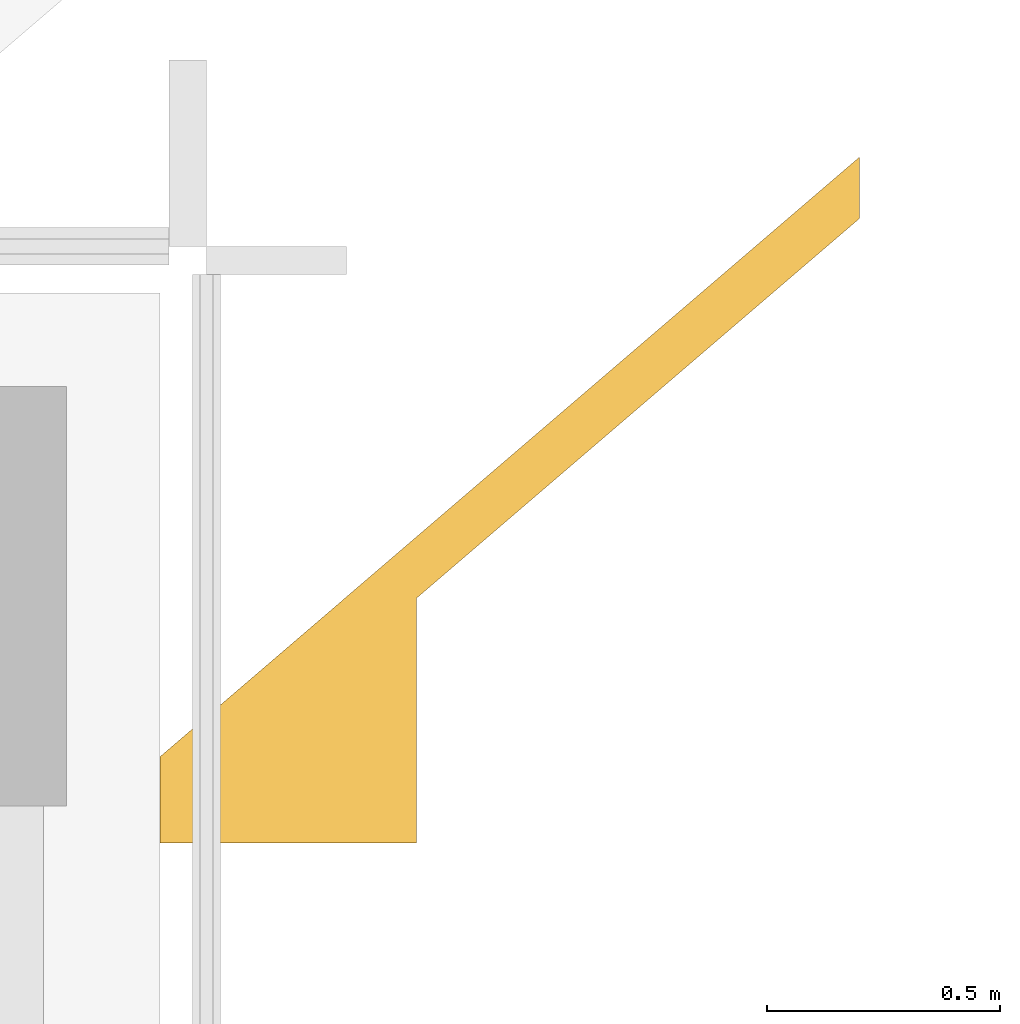
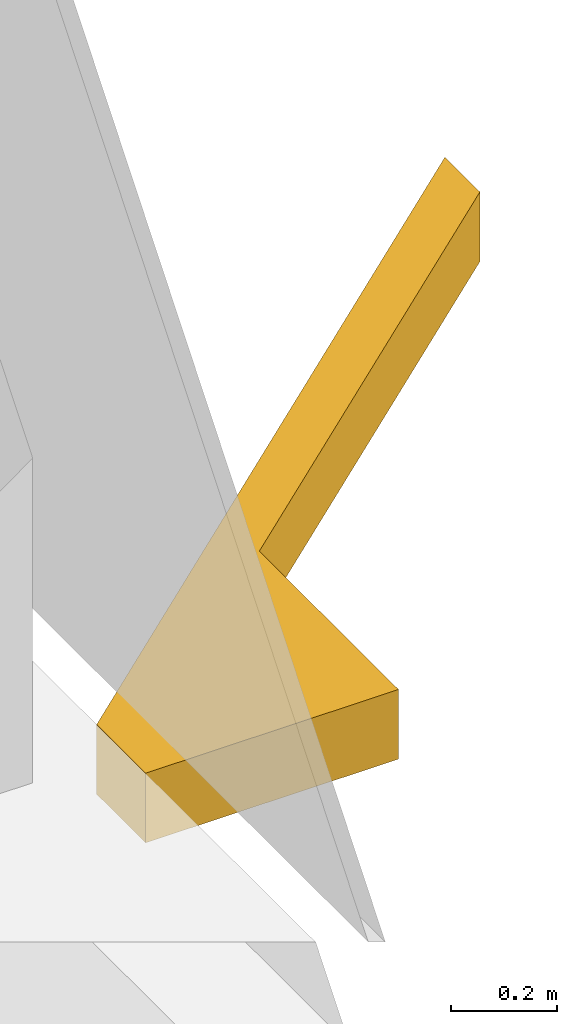
# One storey, part 17 of 17: 1 covering.
"""IFC4 building model written with IfcOpenShell, lengths in metres."""

import ifcopenshell
import ifcopenshell.guid

model = None  # the IFC model being written
_history = None  # IfcOwnerHistory: only IFC2X3 demands one
_inside = {}  # id of a spatial element -> (the spatial element, [elements in it])
_under = {}  # id of a project, library or spatial element -> (it, [spatial elements below it])
_declared = {}  # id of a project -> (the project, [libraries it declares])
_typed = {}  # id of a type object -> (the type object, [elements of that type])
_made_of = {}  # id of a material, layer set ... -> (it, [elements and type objects made of it])


def new_model(schema):
    """Start an empty IFC model of exactly this schema.

    Asked for "IFC4X3", IfcOpenShell would pick the latest addendum, in which some entities
    have other attributes; the version numbers below select the first issue.
    IFC2X3 requires an IfcOwnerHistory on every rooted entity: one is made here for all.
    """
    global model, _history
    if schema == "IFC4X3":
        model = ifcopenshell.file(schema_version=(4, 3, 0, 0))
    else:
        model = ifcopenshell.file(schema=schema)
    _inside.clear()
    _under.clear()
    _declared.clear()
    _typed.clear()
    _made_of.clear()
    _history = None
    if model.schema == "IFC2X3":
        org = make("IfcOrganization", Name="unknown")
        user = make(
            "IfcPersonAndOrganization",
            ThePerson=make("IfcPerson", FamilyName="unknown"),
            TheOrganization=org,
        )
        app = make(
            "IfcApplication",
            ApplicationDeveloper=org,
            Version="unknown",
            ApplicationFullName="unknown",
            ApplicationIdentifier="unknown",
        )
        _history = make(
            "IfcOwnerHistory",
            OwningUser=user,
            OwningApplication=app,
            ChangeAction="ADDED",
            CreationDate=0,
        )
    return model


def make(cls, **values):
    """One entity of the class cls with the attributes given. An attribute that is None is left unset."""
    return model.create_entity(
        cls, **{name: value for name, value in values.items() if value is not None}
    )


def rooted(cls, **values):
    """An entity with a GlobalId (a new one), such as an element, a storey or a relation."""
    return make(cls, GlobalId=ifcopenshell.guid.new(), OwnerHistory=_history, **values)


def si_unit(unit_type, name, prefix=None):
    """IfcSIUnit, for example si_unit("LENGTHUNIT", "METRE", prefix="MILLI")."""
    return make("IfcSIUnit", UnitType=unit_type, Prefix=prefix, Name=name)


def assignment(units):
    """IfcUnitAssignment: the units of a project."""
    return None if units is None else make("IfcUnitAssignment", Units=units)


def point(xyz):
    """IfcCartesianPoint."""
    return None if xyz is None else make("IfcCartesianPoint", Coordinates=xyz)


def direction(xyz):
    """IfcDirection."""
    return None if xyz is None else make("IfcDirection", DirectionRatios=xyz)


def frame(location, z_axis=None, x_axis=None):
    """IfcAxis2Placement3D, a coordinate frame: its origin and axes. An axis left out is left unset."""
    return make(
        "IfcAxis2Placement3D",
        Location=point(location),
        Axis=direction(z_axis),
        RefDirection=direction(x_axis),
    )


def origin():
    """The frame at (0, 0, 0) with its axes left unset."""
    return frame((0.0, 0.0, 0.0))


def place(relative_to, where):
    """IfcLocalPlacement: puts the frame where relative to a parent placement (None: the world)."""
    return make(
        "IfcLocalPlacement", PlacementRelTo=relative_to, RelativePlacement=where
    )


def context(
    kind, dimensions, precision=None, world=None, true_north=None, identifier=None
):
    """IfcGeometricRepresentationContext, for example the 3D "Model" context."""
    return make(
        "IfcGeometricRepresentationContext",
        ContextIdentifier=identifier,
        ContextType=kind,
        CoordinateSpaceDimension=dimensions,
        Precision=precision,
        WorldCoordinateSystem=world,
        TrueNorth=true_north,
    )


def subcontext(parent, identifier, kind, view, scale=None):
    """IfcGeometricRepresentationSubContext, for example "Body" below "Model"."""
    return make(
        "IfcGeometricRepresentationSubContext",
        ContextIdentifier=identifier,
        ContextType=kind,
        ParentContext=parent,
        TargetScale=scale,
        TargetView=view,
    )


def project(units=None, contexts=None):
    """IfcProject with its units and contexts."""
    return rooted(
        "IfcProject",
        Name="project",
        RepresentationContexts=contexts,
        UnitsInContext=assignment(units),
    )


def spatial(cls, under=None, at=None, **own):
    """A site, building, storey or space (cls), placed at a placement, below another one or the project."""
    s = rooted(cls, ObjectPlacement=at, **own)
    if under is not None:
        _under.setdefault(under.id(), (under, []))[1].append(s)
    return s


def polyline(points):
    """IfcPolyline through the points."""
    return make("IfcPolyline", Points=[point(p) for p in points])


def outline(outer, holes=None, kind="AREA"):
    """IfcArbitraryClosedProfileDef: a profile drawn as a closed curve; with holes, ...WithVoids."""
    if holes is None:
        return make("IfcArbitraryClosedProfileDef", ProfileType=kind, OuterCurve=outer)
    return make(
        "IfcArbitraryProfileDefWithVoids",
        ProfileType=kind,
        OuterCurve=outer,
        InnerCurves=holes,
    )


def extrude(swept, where, along, depth):
    """IfcExtrudedAreaSolid: the profile swept, set in the frame where, extruded along a direction by depth."""
    return make(
        "IfcExtrudedAreaSolid",
        SweptArea=swept,
        Position=where,
        ExtrudedDirection=direction(along),
        Depth=depth,
    )


def shape(context_of_items, identifier, shape_type, items):
    """IfcShapeRepresentation: the items that make up one representation, for example the "Body"."""
    return make(
        "IfcShapeRepresentation",
        ContextOfItems=context_of_items,
        RepresentationIdentifier=identifier,
        RepresentationType=shape_type,
        Items=items,
    )


def material(Name=None, Category=None):
    """IfcMaterial."""
    return make("IfcMaterial", Name=Name, Category=Category)


def layer(
    of_material, thickness, ventilated=None, Name=None, Category=None, Priority=None
):
    """IfcMaterialLayer: one layer of a wall or slab, of a material (None: an air gap)."""
    return make(
        "IfcMaterialLayer",
        Material=of_material,
        LayerThickness=thickness,
        IsVentilated=ventilated,
        Name=Name,
        Category=Category,
        Priority=Priority,
    )


def layer_set(layers, Name=None):
    """IfcMaterialLayerSet."""
    return make("IfcMaterialLayerSet", MaterialLayers=layers, LayerSetName=Name)


def made_of(thing, what):
    """Note that an element or type object is made of a material, layer set ...; save() writes the relation."""
    if what is not None:
        _made_of.setdefault(what.id(), (what, []))[1].append(thing)
    return thing


def type_object(cls, material=None, **own):
    """A type object (cls), such as IfcWallType, which elements share."""
    return made_of(rooted(cls, **own), material)


def element(
    cls,
    number,
    at=None,
    inside=None,
    cuts=None,
    type_object=None,
    material=None,
    context=None,
    identifier="Body",
    shape_type=None,
    held_by="IfcProductDefinitionShape",
    body=None,
    shapes=None,
    **own,
):
    """One element of the class cls, such as IfcWall. Its Tag is "e" and its number.

    at: its placement. inside: the storey or other place that contains it. cuts: it is an
    opening in that element (IfcRelVoidsElement). A single representation is given by context,
    identifier, shape_type and body (its items); several are given by shapes. held_by: the class
    of the entity that holds the representations. save() writes the other relations.
    """
    e = rooted(cls, Tag="e%d" % number, ObjectPlacement=at, **own)
    if body is not None:
        shapes = [shape(context, identifier, shape_type, body)]
    if shapes is not None:
        e.Representation = make(held_by, Representations=shapes)
    if inside is not None:
        _inside.setdefault(inside.id(), (inside, []))[1].append(e)
    if cuts is not None:
        rooted(
            "IfcRelVoidsElement", RelatingBuildingElement=cuts, RelatedOpeningElement=e
        )
    if type_object is not None:
        _typed.setdefault(type_object.id(), (type_object, []))[1].append(e)
    return made_of(e, material)


def aggregate(whole, parts):
    """IfcRelAggregates: a whole, such as a stair, and the parts it consists of."""
    return rooted("IfcRelAggregates", RelatingObject=whole, RelatedObjects=parts)


def save(model, path):
    """Write the relations noted so far, then the file.

    IfcRelAggregates (storeys below a building ...), IfcRelContainedInSpatialStructure (elements
    in a storey), IfcRelDefinesByType, IfcRelAssociatesMaterial and IfcRelDeclares: one each for
    every whole, place, type object, material and project.
    """
    for whole, parts in _under.values():
        aggregate(whole, parts)
    for where, things in _inside.values():
        rooted(
            "IfcRelContainedInSpatialStructure",
            RelatedElements=things,
            RelatingStructure=where,
        )
    for kind, things in _typed.values():
        rooted("IfcRelDefinesByType", RelatedObjects=things, RelatingType=kind)
    for what, things in _made_of.values():
        rooted("IfcRelAssociatesMaterial", RelatedObjects=things, RelatingMaterial=what)
    for by, libraries in _declared.values():
        rooted("IfcRelDeclares", RelatingContext=by, RelatedDefinitions=libraries)
    model.write(path)


model = new_model("IFC4")

# Units and contexts
model_context = context("Model", 3, precision=1e-05, world=origin(), true_north=direction((0.0, 1.0)))
body_context = subcontext(model_context, "Body", "Model", "MODEL_VIEW")
ifc_project = project(units=[si_unit("LENGTHUNIT", "METRE"), si_unit("AREAUNIT", "SQUARE_METRE"), si_unit("VOLUMEUNIT", "CUBIC_METRE"), si_unit("PLANEANGLEUNIT", "RADIAN"), si_unit("MASSUNIT", "GRAM", prefix="KILO")], contexts=[model_context])

# Site, building, storey
site_placement = place(None, origin())
site = spatial("IfcSite", under=ifc_project, at=site_placement, CompositionType="ELEMENT")
building_placement = place(site_placement, origin())
building = spatial("IfcBuilding", under=site, at=building_placement, Name="Daluyong Arena Tower", CompositionType="ELEMENT")
storey_placement = place(building_placement, frame((0.0, 0.0, 112.300048828125)))
storey = spatial("IfcBuildingStorey", under=building, at=storey_placement, Name="L24", CompositionType="ELEMENT", Elevation=112.300048828125)

# Covering
ifc_material = material(Name="Bronze anodised aluminium capping", Category="aluminium")
ifc_layer = layer(ifc_material, 0.159912109375)
ifc_layer_set = layer_set([ifc_layer], Name="Bronze anodised aluminium capping")
covering_type = type_object("IfcCoveringType", Name="Transition column casing cap 160", PredefinedType="ROOFING", material=ifc_layer_set)
covering_placement = place(storey_placement, frame((0.0, 0.0, -0.16015625)))
element("IfcCovering", 1, at=covering_placement, inside=storey, type_object=covering_type, Name="transition column casing cap L23 2", PredefinedType="ROOFING", context=body_context, shape_type="SweptSolid", body=[
    extrude(outline(polyline([(74.449951171875, 101.970947265625), (73.89990234375, 101.970947265625), (73.89990234375, 102.155517578125), (75.39990234375, 103.44140625), (75.39990234375, 103.3095703125), (74.449951171875, 102.495361328125), (74.449951171875, 101.970947265625)])), origin(), (0.0, 0.0, 1.0), 0.16015625),
])

save(model, "model.ifc")
